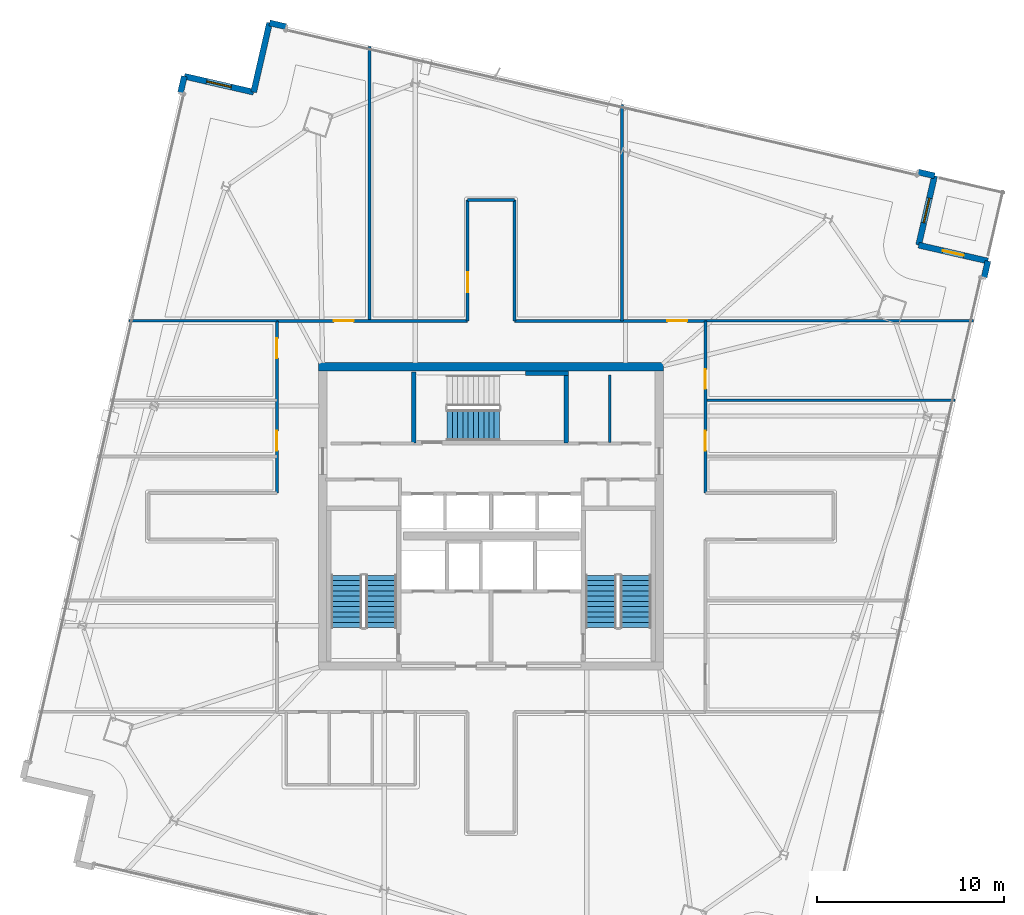
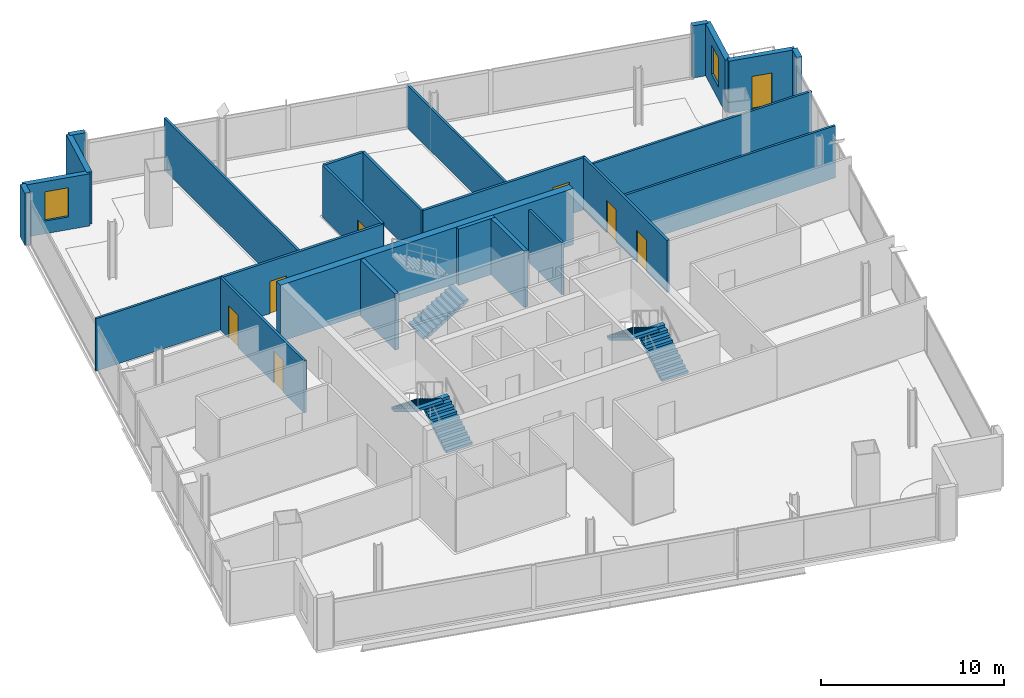
# One storey, part 22 of 28: 25 walls, 8 doors, 5 stair flights, 2 windows, 10 openings, 3 elements without a shape of their own.
"""IFC4 building model written with IfcOpenShell, lengths in metres."""

from ifc_helpers import new_model, si_unit, direction, frame, frame_2d, origin, place, context, subcontext, project, spatial, polyline, rectangle, outline, extrude, material, layer, layer_set, type_object, element, fill, aggregate, save


model = new_model("IFC4")

# Units and contexts
model_context = context("Model", 3, precision=1e-05, world=origin(), true_north=direction((0.0, 1.0)))
body_context = subcontext(model_context, "Body", "Model", "MODEL_VIEW")
ifc_project = project(units=[si_unit("LENGTHUNIT", "METRE"), si_unit("AREAUNIT", "SQUARE_METRE"), si_unit("VOLUMEUNIT", "CUBIC_METRE"), si_unit("PLANEANGLEUNIT", "RADIAN"), si_unit("MASSUNIT", "GRAM", prefix="KILO")], contexts=[model_context])

# Site, building, storey
site_placement = place(None, origin())
site = spatial("IfcSite", under=ifc_project, at=site_placement, CompositionType="ELEMENT")
building_placement = place(site_placement, origin())
building = spatial("IfcBuilding", under=site, at=building_placement, Name="Haldenkirk Collegiate Tower", CompositionType="ELEMENT")
storey_placement = place(building_placement, frame((0.0, 0.0, 286.199951171875)))
storey = spatial("IfcBuildingStorey", under=building, at=storey_placement, Name="L72", CompositionType="ELEMENT", Elevation=286.199951171875)

# Walls
ifc_material_1 = material(Name="Concrete f'c 55 MPa", Category="concrete")
ifc_layer_1 = layer(ifc_material_1, 0.449951171875)
ifc_layer_set_1 = layer_set([ifc_layer_1], Name="Concrete f'c 55 MPa")
wall_type_1 = type_object("IfcWallType", Name="WL-CORE-450", PredefinedType="SHEAR", material=ifc_layer_set_1)
wall_1_placement = place(storey_placement, frame((26.77490234375, 34.0, 0.0), z_axis=(0.0, 0.0, 1.0), x_axis=(1.0, 0.0, 0.0)))
element("IfcWall", 1, at=wall_1_placement, inside=storey, type_object=wall_type_1, Name="L72 central core shear wall N", PredefinedType="SHEAR", context=body_context, shape_type="SweptSolid", body=[
    extrude(rectangle(XDim=18.4501953125, YDim=0.449951171875, at=frame_2d((9.22509765625, 0.0))), origin(), (0.0, 0.0, 1.0), 3.75),
])
ifc_material_2 = material(Name="Precast concrete f'c 40 MPa", Category="concrete")
ifc_layer_2 = layer(ifc_material_2, 0.320068359375)
ifc_layer_set_2 = layer_set([ifc_layer_2], Name="Precast concrete f'c 40 MPa")
wall_type_2 = type_object("IfcWallType", Name="WL-EXT-TWR-320", PredefinedType="STANDARD", material=ifc_layer_set_2)
wall_2_placement = place(storey_placement, frame((62.558349609375, 39.645263671875, 0.0), z_axis=(0.0, 0.0, 1.0), x_axis=(-0.224106463304, -0.974564668509, 0.0)))
element("IfcWall", 2, at=wall_2_placement, inside=storey, type_object=wall_type_2, Name="L72 precast corner pier SL", PredefinedType="STANDARD", context=body_context, shape_type="SweptSolid", body=[
    extrude(rectangle(XDim=0.89990234375, YDim=0.320068359375, at=frame_2d((0.449951171875, 0.0))), origin(), (0.0, 0.0, 1.0), 3.47998046875),
])

# Wall, opening, door
wall_3_placement = place(storey_placement, frame((58.85498046875, 40.496826171875, 0.0), z_axis=(0.0, 0.0, 1.0), x_axis=(0.974567395147, -0.224094605727, 0.0)))
wall_3 = element("IfcWall", 3, at=wall_3_placement, inside=storey, type_object=wall_type_2, Name="L72 bronze precast notch wall 02", PredefinedType="STANDARD", context=body_context, shape_type="SweptSolid", body=[
    extrude(rectangle(XDim=3.800048828125, YDim=0.320068359375, at=frame_2d((1.89990234375, 0.0))), origin(), (0.0, 0.0, 1.0), 3.47998046875),
])
opening_1_placement = place(wall_3_placement, frame((1.324951171875, 0.0, 0.0)))
opening_1 = element("IfcOpeningElement", 4, at=opening_1_placement, cuts=wall_3, Name="Opening D-ST11", PredefinedType="OPENING", context=body_context, shape_type="SweptSolid", body=[
    extrude(rectangle(XDim=1.14990234375, YDim=2.199951171875, at=frame_2d((0.574951171875, 1.10009765625))), frame((0.0, 0.169921875, 0.0), z_axis=(0.0, -1.0, 0.0), x_axis=(1.0, 0.0, 0.0)), (0.0, 0.0, 1.0), 0.340087890625),
])
ifc_material_3 = material(Name="Anodised architectural bronze aluminium", Category="aluminium")
ifc_layer_3 = layer(ifc_material_3, 0.080078125)
ifc_layer_set_3 = layer_set([ifc_layer_3], Name="Anodised architectural bronze aluminium")
door_type_1 = type_object("IfcDoorType", Name="DR-EXT-STER-1150", OperationType="NOTDEFINED", PredefinedType="DOOR", material=ifc_layer_set_3)
door_1_placement = place(opening_1_placement, origin())
door_1 = element("IfcDoor", 5, at=door_1_placement, inside=storey, type_object=door_type_1, Name="L72 spiralling terrace door", OperationType="SINGLE_SWING_LEFT", OverallHeight=2.199951171875, OverallWidth=1.14990234375, PredefinedType="DOOR", context=body_context, shape_type="SweptSolid", body=[
    extrude(rectangle(XDim=1.14990234375, YDim=2.199951171875, at=frame_2d((0.574951171875, 1.10009765625))), frame((0.0, 0.02490234375, 0.0), z_axis=(0.0, -1.0, 0.0), x_axis=(1.0, 0.0, 0.0)), (0.0, 0.0, 1.0), 0.050048828125),
])
fill(opening_1, door_1)

# Wall, opening, window
wall_4_placement = place(storey_placement, frame((59.70654296875, 44.2001953125, 0.0), z_axis=(0.0, 0.0, 1.0), x_axis=(-0.224094605727, -0.974567395147, 0.0)))
wall_4 = element("IfcWall", 6, at=wall_4_placement, inside=storey, type_object=wall_type_2, Name="L72 bronze precast notch wall 03", PredefinedType="STANDARD", context=body_context, shape_type="SweptSolid", body=[
    extrude(rectangle(XDim=3.800048828125, YDim=0.320068359375, at=frame_2d((1.89990234375, 0.0))), origin(), (0.0, 0.0, 1.0), 3.47998046875),
])
opening_2_placement = place(wall_4_placement, frame((1.22509765625, 0.0, 0.85009765625)))
opening_2 = element("IfcOpeningElement", 7, at=opening_2_placement, cuts=wall_4, Name="Opening W-07", PredefinedType="OPENING", context=body_context, shape_type="SweptSolid", body=[
    extrude(rectangle(XDim=1.35009765625, YDim=1.949951171875, at=frame_2d((0.675048828125, 0.97509765625))), frame((0.0, 0.169921875, 0.0), z_axis=(0.0, -1.0, 0.0), x_axis=(1.0, 0.0, 0.0)), (0.0, 0.0, 1.0), 0.340087890625),
])
ifc_material_4 = material(Name="Low-E argon triple insulating glass", Category="glass")
ifc_layer_4 = layer(ifc_material_4, 0.090087890625)
ifc_layer_set_4 = layer_set([ifc_layer_4], Name="Low-E argon triple insulating glass")
window_type = type_object("IfcWindowType", Name="WN-Z5-1350X1950", PartitioningType="SINGLE_PANEL", PredefinedType="WINDOW", material=ifc_layer_set_4)
window_1_placement = place(opening_2_placement, origin())
window_1 = element("IfcWindow", 8, at=window_1_placement, inside=storey, type_object=window_type, Name="L72 precast-frame academic window 2", OverallHeight=1.949951171875, OverallWidth=1.35009765625, PartitioningType="SINGLE_PANEL", PredefinedType="WINDOW", context=body_context, shape_type="SweptSolid", body=[
    extrude(rectangle(XDim=1.35009765625, YDim=1.949951171875, at=frame_2d((0.675048828125, 0.97509765625))), frame((0.0, 0.030029296875, 0.0), z_axis=(0.0, -1.0, 0.0), x_axis=(1.0, 0.0, 0.0)), (0.0, 0.0, 1.0), 0.06005859375),
])
fill(opening_2, window_1)

# Walls
wall_5_placement = place(storey_placement, frame((24.1591796875, 52.374267578125, 0.0), z_axis=(0.0, 0.0, 1.0), x_axis=(0.974578289568, -0.224047221593, 0.0)))
element("IfcWall", 9, at=wall_5_placement, inside=storey, type_object=wall_type_2, Name="L72 precast corner pier EL", PredefinedType="STANDARD", context=body_context, shape_type="SweptSolid", body=[
    extrude(rectangle(XDim=0.900146484375, YDim=0.320068359375, at=frame_2d((0.4501953125, 0.0))), origin(), (0.0, 0.0, 1.0), 3.47998046875),
])
wall_6_placement = place(storey_placement, frame((58.82958984375, 44.40185546875, 0.0), z_axis=(0.0, 0.0, 1.0), x_axis=(0.974564668509, -0.224106463304, 0.0)))
element("IfcWall", 10, at=wall_6_placement, inside=storey, type_object=wall_type_2, Name="L72 precast corner pier ER", PredefinedType="STANDARD", context=body_context, shape_type="SweptSolid", body=[
    extrude(rectangle(XDim=0.89990234375, YDim=0.320068359375, at=frame_2d((0.449951171875, 0.0))), origin(), (0.0, 0.0, 1.0), 3.47998046875),
])
wall_7_placement = place(storey_placement, frame((23.307861328125, 48.6708984375, 0.0), z_axis=(0.0, 0.0, 1.0), x_axis=(0.224033583499, 0.974581424748, 0.0)))
element("IfcWall", 11, at=wall_7_placement, inside=storey, type_object=wall_type_2, Name="L72 bronze precast notch wall 05", PredefinedType="STANDARD", context=body_context, shape_type="SweptSolid", body=[
    extrude(rectangle(XDim=3.800048828125, YDim=0.320068359375, at=frame_2d((1.89990234375, 0.0))), origin(), (0.0, 0.0, 1.0), 3.47998046875),
])

# Wall, opening, window
wall_8_placement = place(storey_placement, frame((19.6044921875, 49.5224609375, 0.0), z_axis=(0.0, 0.0, 1.0), x_axis=(0.974567395147, -0.224094605727, 0.0)))
wall_8 = element("IfcWall", 12, at=wall_8_placement, inside=storey, type_object=wall_type_2, Name="L72 bronze precast notch wall 06", PredefinedType="STANDARD", context=body_context, shape_type="SweptSolid", body=[
    extrude(rectangle(XDim=3.800048828125, YDim=0.320068359375, at=frame_2d((1.89990234375, 0.0))), origin(), (0.0, 0.0, 1.0), 3.47998046875),
])
opening_3_placement = place(wall_8_placement, frame((1.22509765625, 0.0, 0.85009765625)))
opening_3 = element("IfcOpeningElement", 13, at=opening_3_placement, cuts=wall_8, Name="Opening W-07", PredefinedType="OPENING", context=body_context, shape_type="SweptSolid", body=[
    extrude(rectangle(XDim=1.35009765625, YDim=1.949951171875, at=frame_2d((0.675048828125, 0.97509765625))), frame((0.0, 0.169921875, 0.0), z_axis=(0.0, -1.0, 0.0), x_axis=(1.0, 0.0, 0.0)), (0.0, 0.0, 1.0), 0.340087890625),
])
window_2_placement = place(opening_3_placement, origin())
window_2 = element("IfcWindow", 14, at=window_2_placement, inside=storey, type_object=window_type, Name="L72 precast-frame academic window 5", OverallHeight=1.949951171875, OverallWidth=1.35009765625, PartitioningType="SINGLE_PANEL", PredefinedType="WINDOW", context=body_context, shape_type="SweptSolid", body=[
    extrude(rectangle(XDim=1.35009765625, YDim=1.949951171875, at=frame_2d((0.675048828125, 0.97509765625))), frame((0.0, 0.030029296875, 0.0), z_axis=(0.0, -1.0, 0.0), x_axis=(1.0, 0.0, 0.0)), (0.0, 0.0, 1.0), 0.06005859375),
])
fill(opening_3, window_2)

# Wall
wall_9_placement = place(storey_placement, frame((19.402587890625, 48.6455078125, 0.0), z_axis=(0.0, 0.0, 1.0), x_axis=(0.224364128664, 0.974505381088, 0.0)))
element("IfcWall", 15, at=wall_9_placement, inside=storey, type_object=wall_type_2, Name="L72 precast corner pier NR", PredefinedType="STANDARD", context=body_context, shape_type="SweptSolid", body=[
    extrude(rectangle(XDim=0.89990234375, YDim=0.320068359375, at=frame_2d((0.449951171875, 0.0))), origin(), (0.0, 0.0, 1.0), 3.47998046875),
])

# Wall, opening, door
ifc_material_5 = material(Name="Acoustic fire-rated gypsum partition", Category="concrete")
ifc_layer_5 = layer(ifc_material_5, 0.159912109375)
ifc_layer_set_5 = layer_set([ifc_layer_5], Name="Acoustic fire-rated gypsum partition")
wall_type_3 = type_object("IfcWallType", Name="WL-INT-CORR-160", PredefinedType="PARTITIONING", material=ifc_layer_set_5)
wall_10_placement = place(storey_placement, frame((24.5, 36.449951171875, 0.0), z_axis=(0.0, 0.0, 1.0), x_axis=(1.0, 0.0, 0.0)))
wall_10 = element("IfcWall", 16, at=wall_10_placement, inside=storey, type_object=wall_type_3, Name="L72 interior partition IW-L72-CN1", PredefinedType="PARTITIONING", context=body_context, shape_type="SweptSolid", body=[
    extrude(rectangle(XDim=10.25, YDim=0.159912109375, at=frame_2d((5.125, 0.0))), origin(), (0.0, 0.0, 1.0), 3.47998046875),
])
opening_4_placement = place(wall_10_placement, frame((3.10107421875, 0.0, 0.0)))
opening_4 = element("IfcOpeningElement", 17, at=opening_4_placement, cuts=wall_10, Name="Opening D-09", PredefinedType="OPENING", context=body_context, shape_type="SweptSolid", body=[
    extrude(rectangle(XDim=1.050048828125, YDim=2.14990234375, at=frame_2d((0.52490234375, 1.074951171875))), frame((0.0, 0.08984375, 0.0), z_axis=(0.0, -1.0, 0.0), x_axis=(1.0, 0.0, 0.0)), (0.0, 0.0, 1.0), 0.179931640625),
])
ifc_material_6 = material(Name="Solid-core architectural oak fire door", Category="wood")
ifc_layer_6 = layer(ifc_material_6, 0.06005859375)
ifc_layer_set_6 = layer_set([ifc_layer_6], Name="Solid-core architectural oak fire door")
door_type_2 = type_object("IfcDoorType", Name="DR-INT-FD60-1050", OperationType="NOTDEFINED", PredefinedType="DOOR", material=ifc_layer_set_6)
door_2_placement = place(opening_4_placement, origin())
door_2 = element("IfcDoor", 18, at=door_2_placement, inside=storey, type_object=door_type_2, Name="L72 Catering Tea Kitchen 2 door", OperationType="SINGLE_SWING_LEFT", OverallHeight=2.14990234375, OverallWidth=1.050048828125, PredefinedType="DOOR", context=body_context, shape_type="SweptSolid", body=[
    extrude(rectangle(XDim=1.050048828125, YDim=2.14990234375, at=frame_2d((0.52490234375, 1.074951171875))), frame((0.0, 0.02490234375, 0.0), z_axis=(0.0, -1.0, 0.0), x_axis=(1.0, 0.0, 0.0)), (0.0, 0.0, 1.0), 0.050048828125),
])
fill(opening_4, door_2)

wall_11_placement = place(storey_placement, frame((37.25, 36.449951171875, 0.0), z_axis=(0.0, 0.0, 1.0), x_axis=(1.0, 0.0, 0.0)))
wall_11 = element("IfcWall", 19, at=wall_11_placement, inside=storey, type_object=wall_type_3, Name="L72 interior partition IW-L72-CN2", PredefinedType="PARTITIONING", context=body_context, shape_type="SweptSolid", body=[
    extrude(rectangle(XDim=10.25, YDim=0.159912109375, at=frame_2d((5.125, 0.0))), origin(), (0.0, 0.0, 1.0), 3.47998046875),
])
opening_5_placement = place(wall_11_placement, frame((8.178955078125, 0.0, 0.0)))
opening_5 = element("IfcOpeningElement", 20, at=opening_5_placement, cuts=wall_11, Name="Opening D-09", PredefinedType="OPENING", context=body_context, shape_type="SweptSolid", body=[
    extrude(rectangle(XDim=1.050048828125, YDim=2.14990234375, at=frame_2d((0.52490234375, 1.074951171875))), frame((0.0, 0.08984375, 0.0), z_axis=(0.0, -1.0, 0.0), x_axis=(1.0, 0.0, 0.0)), (0.0, 0.0, 1.0), 0.179931640625),
])
door_3_placement = place(opening_5_placement, origin())
door_3 = element("IfcDoor", 21, at=door_3_placement, inside=storey, type_object=door_type_2, Name="L72 Academic Tea Kitchen 4 door", OperationType="SINGLE_SWING_LEFT", OverallHeight=2.14990234375, OverallWidth=1.050048828125, PredefinedType="DOOR", context=body_context, shape_type="SweptSolid", body=[
    extrude(rectangle(XDim=1.050048828125, YDim=2.14990234375, at=frame_2d((0.52490234375, 1.074951171875))), frame((0.0, 0.02490234375, 0.0), z_axis=(0.0, -1.0, 0.0), x_axis=(1.0, 0.0, 0.0)), (0.0, 0.0, 1.0), 0.050048828125),
])
fill(opening_5, door_3)

# Wall, openings, doors
wall_12_placement = place(storey_placement, frame((24.550048828125, 27.25, 0.0), z_axis=(0.0, 0.0, 1.0), x_axis=(0.0, 1.0, 0.0)))
wall_12 = element("IfcWall", 22, at=wall_12_placement, inside=storey, type_object=wall_type_3, Name="L72 interior partition IW-L72-CW2", PredefinedType="PARTITIONING", context=body_context, shape_type="SweptSolid", body=[
    extrude(rectangle(XDim=9.199951171875, YDim=0.159912109375, at=frame_2d((4.60009765625, 0.0))), origin(), (0.0, 0.0, 1.0), 3.47998046875),
])
opening_6_placement = place(wall_12_placement, frame((2.264892578125, 0.0, 0.0)))
opening_6 = element("IfcOpeningElement", 23, at=opening_6_placement, cuts=wall_12, Name="Opening D-09", PredefinedType="OPENING", context=body_context, shape_type="SweptSolid", body=[
    extrude(rectangle(XDim=1.050048828125, YDim=2.14990234375, at=frame_2d((0.52490234375, 1.074951171875))), frame((0.0, 0.08984375, 0.0), z_axis=(0.0, -1.0, 0.0), x_axis=(1.0, 0.0, 0.0)), (0.0, 0.0, 1.0), 0.179931640625),
])
opening_7_placement = place(wall_12_placement, frame((7.208984375, 0.0, 0.0)))
opening_7 = element("IfcOpeningElement", 24, at=opening_7_placement, cuts=wall_12, Name="Opening D-09", PredefinedType="OPENING", context=body_context, shape_type="SweptSolid", body=[
    extrude(rectangle(XDim=1.050048828125, YDim=2.14990234375, at=frame_2d((0.52490234375, 1.074951171875))), frame((0.0, 0.08984375, 0.0), z_axis=(0.0, -1.0, 0.0), x_axis=(1.0, 0.0, 0.0)), (0.0, 0.0, 1.0), 0.179931640625),
])
door_4_placement = place(opening_6_placement, origin())
door_4 = element("IfcDoor", 25, at=door_4_placement, inside=storey, type_object=door_type_2, Name="L72 Hospitality Tea Kitchen 7 door", OperationType="SINGLE_SWING_RIGHT", OverallHeight=2.14990234375, OverallWidth=1.050048828125, PredefinedType="DOOR", context=body_context, shape_type="SweptSolid", body=[
    extrude(rectangle(XDim=1.050048828125, YDim=2.14990234375, at=frame_2d((0.52490234375, 1.074951171875))), frame((0.0, 0.02490234375, 0.0), z_axis=(0.0, -1.0, 0.0), x_axis=(1.0, 0.0, 0.0)), (0.0, 0.0, 1.0), 0.050048828125),
])
fill(opening_6, door_4)
door_5_placement = place(opening_7_placement, origin())
door_5 = element("IfcDoor", 26, at=door_5_placement, inside=storey, type_object=door_type_2, Name="L72 Catering Tea Kitchen 8 door", OperationType="SINGLE_SWING_LEFT", OverallHeight=2.14990234375, OverallWidth=1.050048828125, PredefinedType="DOOR", context=body_context, shape_type="SweptSolid", body=[
    extrude(rectangle(XDim=1.050048828125, YDim=2.14990234375, at=frame_2d((0.52490234375, 1.074951171875))), frame((0.0, 0.02490234375, 0.0), z_axis=(0.0, -1.0, 0.0), x_axis=(1.0, 0.0, 0.0)), (0.0, 0.0, 1.0), 0.050048828125),
])
fill(opening_7, door_5)

wall_13_placement = place(storey_placement, frame((47.449951171875, 27.25, 0.0), z_axis=(0.0, 0.0, 1.0), x_axis=(0.0, 1.0, 0.0)))
wall_13 = element("IfcWall", 27, at=wall_13_placement, inside=storey, type_object=wall_type_3, Name="L72 interior partition IW-L72-CE2", PredefinedType="PARTITIONING", context=body_context, shape_type="SweptSolid", body=[
    extrude(rectangle(XDim=9.199951171875, YDim=0.159912109375, at=frame_2d((4.60009765625, 0.0))), origin(), (0.0, 0.0, 1.0), 3.47998046875),
])
opening_8_placement = place(wall_13_placement, frame((2.264892578125, 0.0, 0.0)))
opening_8 = element("IfcOpeningElement", 28, at=opening_8_placement, cuts=wall_13, Name="Opening D-09", PredefinedType="OPENING", context=body_context, shape_type="SweptSolid", body=[
    extrude(rectangle(XDim=1.050048828125, YDim=2.14990234375, at=frame_2d((0.52490234375, 1.074951171875))), frame((0.0, 0.08984375, 0.0), z_axis=(0.0, -1.0, 0.0), x_axis=(1.0, 0.0, 0.0)), (0.0, 0.0, 1.0), 0.179931640625),
])
opening_9_placement = place(wall_13_placement, frame((5.55908203125, 0.0, 0.0)))
opening_9 = element("IfcOpeningElement", 29, at=opening_9_placement, cuts=wall_13, Name="Opening D-09", PredefinedType="OPENING", context=body_context, shape_type="SweptSolid", body=[
    extrude(rectangle(XDim=1.050048828125, YDim=2.14990234375, at=frame_2d((0.52490234375, 1.074951171875))), frame((0.0, 0.08984375, 0.0), z_axis=(0.0, -1.0, 0.0), x_axis=(1.0, 0.0, 0.0)), (0.0, 0.0, 1.0), 0.179931640625),
])
door_6_placement = place(opening_8_placement, origin())
door_6 = element("IfcDoor", 30, at=door_6_placement, inside=storey, type_object=door_type_2, Name="L72 Wet Science Laboratory 11 door", OperationType="SINGLE_SWING_RIGHT", OverallHeight=2.14990234375, OverallWidth=1.050048828125, PredefinedType="DOOR", context=body_context, shape_type="SweptSolid", body=[
    extrude(rectangle(XDim=1.050048828125, YDim=2.14990234375, at=frame_2d((0.52490234375, 1.074951171875))), frame((0.0, 0.02490234375, 0.0), z_axis=(0.0, -1.0, 0.0), x_axis=(1.0, 0.0, 0.0)), (0.0, 0.0, 1.0), 0.050048828125),
])
fill(opening_8, door_6)
door_7_placement = place(opening_9_placement, origin())
door_7 = element("IfcDoor", 31, at=door_7_placement, inside=storey, type_object=door_type_2, Name="L72 Model Shop Laboratory 12 door", OperationType="SINGLE_SWING_LEFT", OverallHeight=2.14990234375, OverallWidth=1.050048828125, PredefinedType="DOOR", context=body_context, shape_type="SweptSolid", body=[
    extrude(rectangle(XDim=1.050048828125, YDim=2.14990234375, at=frame_2d((0.52490234375, 1.074951171875))), frame((0.0, 0.02490234375, 0.0), z_axis=(0.0, -1.0, 0.0), x_axis=(1.0, 0.0, 0.0)), (0.0, 0.0, 1.0), 0.050048828125),
])
fill(opening_9, door_7)

# Wall, opening, door
wall_14_placement = place(storey_placement, frame((34.75, 36.449951171875, 0.0), z_axis=(0.0, 0.0, 1.0), x_axis=(0.0, 1.0, 0.0)))
wall_14 = element("IfcWall", 32, at=wall_14_placement, inside=storey, type_object=wall_type_3, Name="L72 interior partition IW-L72-NPW", PredefinedType="PARTITIONING", context=body_context, shape_type="SweptSolid", body=[
    extrude(rectangle(XDim=6.449951171875, YDim=0.159912109375, at=frame_2d((3.22509765625, 0.0))), origin(), (0.0, 0.0, 1.0), 3.47998046875),
])
opening_10_placement = place(wall_14_placement, frame((1.5390625, 0.0, 0.0)))
opening_10 = element("IfcOpeningElement", 33, at=opening_10_placement, cuts=wall_14, Name="Opening D-09", PredefinedType="OPENING", context=body_context, shape_type="SweptSolid", body=[
    extrude(rectangle(XDim=1.050048828125, YDim=2.14990234375, at=frame_2d((0.52490234375, 1.074951171875))), frame((0.0, 0.08984375, 0.0), z_axis=(0.0, -1.0, 0.0), x_axis=(1.0, 0.0, 0.0)), (0.0, 0.0, 1.0), 0.179931640625),
])
door_8_placement = place(opening_10_placement, origin())
door_8 = element("IfcDoor", 34, at=door_8_placement, inside=storey, type_object=door_type_2, Name="L72 Faculty Tea Kitchen 3 door", OperationType="SINGLE_SWING_RIGHT", OverallHeight=2.14990234375, OverallWidth=1.050048828125, PredefinedType="DOOR", context=body_context, shape_type="SweptSolid", body=[
    extrude(rectangle(XDim=1.050048828125, YDim=2.14990234375, at=frame_2d((0.52490234375, 1.074951171875))), frame((0.0, 0.02490234375, 0.0), z_axis=(0.0, -1.0, 0.0), x_axis=(1.0, 0.0, 0.0)), (0.0, 0.0, 1.0), 0.050048828125),
])
fill(opening_10, door_8)

# Walls
wall_15_placement = place(storey_placement, frame((37.25, 36.449951171875, 0.0), z_axis=(0.0, 0.0, 1.0), x_axis=(0.0, 1.0, 0.0)))
element("IfcWall", 35, at=wall_15_placement, inside=storey, type_object=wall_type_3, Name="L72 interior partition IW-L72-NPE", PredefinedType="PARTITIONING", context=body_context, shape_type="SweptSolid", body=[
    extrude(rectangle(XDim=6.449951171875, YDim=0.159912109375, at=frame_2d((3.22509765625, 0.0))), origin(), (0.0, 0.0, 1.0), 3.47998046875),
])
wall_16_placement = place(storey_placement, frame((34.75, 42.89990234375, 0.0), z_axis=(0.0, 0.0, 1.0), x_axis=(1.0, 0.0, 0.0)))
element("IfcWall", 36, at=wall_16_placement, inside=storey, type_object=wall_type_3, Name="L72 interior partition IW-L72-NPN", PredefinedType="PARTITIONING", context=body_context, shape_type="SweptSolid", body=[
    extrude(rectangle(XDim=2.5, YDim=0.159912109375, at=frame_2d((1.25, 0.0))), origin(), (0.0, 0.0, 1.0), 3.47998046875),
])
ifc_layer_7 = layer(ifc_material_5, 0.139892578125)
ifc_layer_set_7 = layer_set([ifc_layer_7], Name="Acoustic fire-rated gypsum partition")
wall_type_4 = type_object("IfcWallType", Name="WL-INT-DIV-140", PredefinedType="PARTITIONING", material=ifc_layer_set_7)
wall_17_placement = place(storey_placement, frame((42.35009765625, 29.949951171875, 0.0), z_axis=(0.0, 0.0, 1.0), x_axis=(0.0, 1.0, 0.0)))
element("IfcWall", 37, at=wall_17_placement, inside=storey, type_object=wall_type_4, Name="L72 interior partition IW-L72-PMDIV", PredefinedType="PARTITIONING", context=body_context, shape_type="SweptSolid", body=[
    extrude(rectangle(XDim=3.60009765625, YDim=0.139892578125, at=frame_2d((1.800048828125, 0.0))), origin(), (0.0, 0.0, 1.0), 3.47998046875),
])
wall_18_placement = place(storey_placement, frame((16.639404296875, 36.449951171875, 0.0), z_axis=(0.0, 0.0, 1.0), x_axis=(1.0, 0.0, 0.0)))
element("IfcWall", 38, at=wall_18_placement, inside=storey, type_object=wall_type_4, Name="L72 interior partition IW-L72-BWN", PredefinedType="PARTITIONING", context=body_context, shape_type="SweptSolid", body=[
    extrude(rectangle(XDim=7.91064453125, YDim=0.139892578125, at=frame_2d((3.955322265625, 0.0))), origin(), (0.0, 0.0, 1.0), 3.47998046875),
])
wall_19_placement = place(storey_placement, frame((47.449951171875, 36.449951171875, 0.0), z_axis=(0.0, 0.0, 1.0), x_axis=(1.0, 0.0, 0.0)))
element("IfcWall", 39, at=wall_19_placement, inside=storey, type_object=wall_type_4, Name="L72 interior partition IW-L72-BEN", PredefinedType="PARTITIONING", context=body_context, shape_type="SweptSolid", body=[
    extrude(rectangle(XDim=14.332763671875, YDim=0.139892578125, at=frame_2d((7.16650390625, 0.0))), origin(), (0.0, 0.0, 1.0), 2.858154296875),
])
wall_20_placement = place(storey_placement, frame((29.5, 36.449951171875, 0.0), z_axis=(0.0, 0.0, 1.0), x_axis=(0.0, 1.0, 0.0)))
element("IfcWall", 40, at=wall_20_placement, inside=storey, type_object=wall_type_4, Name="L72 interior partition IW-L72-RN1", PredefinedType="PARTITIONING", context=body_context, shape_type="SweptSolid", body=[
    extrude(rectangle(XDim=14.6552734375, YDim=0.139892578125, at=frame_2d((7.32763671875, 0.0))), origin(), (0.0, 0.0, 1.0), 3.47998046875),
])
wall_21_placement = place(storey_placement, frame((43.0, 36.449951171875, 0.0), z_axis=(0.0, 0.0, 1.0), x_axis=(0.0, 1.0, 0.0)))
element("IfcWall", 41, at=wall_21_placement, inside=storey, type_object=wall_type_4, Name="L72 interior partition IW-L72-RN2", PredefinedType="PARTITIONING", context=body_context, shape_type="SweptSolid", body=[
    extrude(rectangle(XDim=11.55078125, YDim=0.139892578125, at=frame_2d((5.775390625, 0.0))), origin(), (0.0, 0.0, 1.0), 2.858154296875),
])
wall_22_placement = place(storey_placement, frame((47.449951171875, 32.199951171875, 0.0), z_axis=(0.0, 0.0, 1.0), x_axis=(1.0, 0.0, 0.0)))
element("IfcWall", 42, at=wall_22_placement, inside=storey, type_object=wall_type_4, Name="L72 interior partition IW-L72-RE3", PredefinedType="PARTITIONING", context=body_context, shape_type="SweptSolid", body=[
    extrude(rectangle(XDim=13.35546875, YDim=0.139892578125, at=frame_2d((6.677734375, 0.0))), origin(), (0.0, 0.0, 1.0), 3.47998046875),
])
ifc_layer_8 = layer(ifc_material_1, 0.239990234375)
ifc_layer_set_8 = layer_set([ifc_layer_8], Name="Concrete f'c 55 MPa")
wall_type_5 = type_object("IfcWallType", Name="WL-SHAFT-240", PredefinedType="SHEAR", material=ifc_layer_set_8)
wall_23_placement = place(storey_placement, frame((31.8798828125, 29.929931640625, 0.0), z_axis=(0.0, 0.0, 1.0), x_axis=(0.0, 1.0, 0.0)))
element("IfcWall", 43, at=wall_23_placement, inside=storey, type_object=wall_type_5, Name="L72 stair shaft shear wall SW-L72-ST3W", PredefinedType="SHEAR", context=body_context, shape_type="SweptSolid", body=[
    extrude(rectangle(XDim=3.7900390625, YDim=0.239990234375, at=frame_2d((1.89501953125, 0.0))), origin(), (0.0, 0.0, 1.0), 3.75),
])
wall_24_placement = place(storey_placement, frame((40.02001953125, 29.929931640625, 0.0), z_axis=(0.0, 0.0, 1.0), x_axis=(0.0, 1.0, 0.0)))
element("IfcWall", 44, at=wall_24_placement, inside=storey, type_object=wall_type_5, Name="L72 stair shaft shear wall SW-L72-ST3E", PredefinedType="SHEAR", context=body_context, shape_type="SweptSolid", body=[
    extrude(rectangle(XDim=3.85009765625, YDim=0.239990234375, at=frame_2d((1.925048828125, 0.0))), origin(), (0.0, 0.0, 1.0), 3.75),
])
wall_25_placement = place(storey_placement, frame((37.85009765625, 33.659912109375, 0.0), z_axis=(0.0, 0.0, 1.0), x_axis=(1.0, 0.0, 0.0)))
element("IfcWall", 45, at=wall_25_placement, inside=storey, type_object=wall_type_5, Name="L72 stair shaft shear wall SW-L72-ST3N", PredefinedType="SHEAR", context=body_context, shape_type="SweptSolid", body=[
    extrude(rectangle(XDim=2.289794921875, YDim=0.239990234375, at=frame_2d((1.14501953125, 0.0))), origin(), (0.0, 0.0, 1.0), 3.75),
])

# Stair, stair flights
ifc_material_7 = material(Name="Concrete f'c 40 MPa", Category="concrete")
stair_type = type_object("IfcStairType", Name="STR-DOGLEG-1650", PredefinedType="HALF_TURN_STAIR", material=ifc_material_7)
stair_1_placement = place(storey_placement, origin())
stair_1 = element("IfcStair", 46, at=stair_1_placement, inside=storey, type_object=stair_type, Name="L72 Core Exit Stair ST-1", PredefinedType="HALF_TURN_STAIR")
stair_flight_type = type_object("IfcStairFlightType", Name="STF-FLIGHT-1650", PredefinedType="STRAIGHT", material=ifc_material_7)
stair_flight_1_placement = place(storey_placement, frame((30.125, 20.050048828125, 0.0), z_axis=(0.0, 0.0, 1.0), x_axis=(0.0, 1.0, 0.0)))
stair_flight_1 = element("IfcStairFlight", 47, at=stair_flight_1_placement, type_object=stair_flight_type, Name="ST-1 flight 1", NumberOfRisers=11, NumberOfTreads=10, PredefinedType="STRAIGHT", RiserHeight=0.170454545, TreadLength=0.28, context=body_context, shape_type="SweptSolid", body=[
    extrude(outline(polyline([(0.0, 0.0), (0.0, 0.17041015625), (0.280029296875, 0.17041015625), (0.280029296875, 0.3408203125), (0.56005859375, 0.3408203125), (0.56005859375, 0.511474609375), (0.840087890625, 0.511474609375), (0.840087890625, 0.681884765625), (1.1201171875, 0.681884765625), (1.1201171875, 0.852294921875), (1.39990234375, 0.852294921875), (1.39990234375, 1.022705078125), (1.679931640625, 1.022705078125), (1.679931640625, 1.193115234375), (1.9599609375, 1.193115234375), (1.9599609375, 1.363525390625), (2.239990234375, 1.363525390625), (2.239990234375, 1.5341796875), (2.52001953125, 1.5341796875), (2.52001953125, 1.70458984375), (2.800048828125, 1.70458984375), (2.800048828125, 1.875), (2.800048828125, 1.529052734375), (0.288330078125, 0.0), (0.0, 0.0)])), frame((0.0, 0.824951171875, 0.0), z_axis=(0.0, -1.0, 0.0), x_axis=(1.0, 0.0, 0.0)), (0.0, 0.0, 1.0), 1.64990234375),
])
stair_flight_2_placement = place(storey_placement, frame((28.27490234375, 22.85009765625, 1.875), z_axis=(0.0, 0.0, 1.0), x_axis=(0.0, -1.0, 0.0)))
stair_flight_2 = element("IfcStairFlight", 48, at=stair_flight_2_placement, type_object=stair_flight_type, Name="ST-1 flight 2", NumberOfRisers=11, NumberOfTreads=10, PredefinedType="STRAIGHT", RiserHeight=0.170454545, TreadLength=0.28, context=body_context, shape_type="SweptSolid", body=[
    extrude(outline(polyline([(0.0, 0.0), (0.0, 0.17041015625), (0.280029296875, 0.17041015625), (0.280029296875, 0.3408203125), (0.56005859375, 0.3408203125), (0.56005859375, 0.511474609375), (0.840087890625, 0.511474609375), (0.840087890625, 0.681884765625), (1.1201171875, 0.681884765625), (1.1201171875, 0.852294921875), (1.39990234375, 0.852294921875), (1.39990234375, 1.022705078125), (1.679931640625, 1.022705078125), (1.679931640625, 1.193115234375), (1.9599609375, 1.193115234375), (1.9599609375, 1.363525390625), (2.239990234375, 1.363525390625), (2.239990234375, 1.5341796875), (2.52001953125, 1.5341796875), (2.52001953125, 1.70458984375), (2.800048828125, 1.70458984375), (2.800048828125, 1.875), (2.800048828125, 1.529052734375), (0.288330078125, 0.0), (0.0, 0.0)])), frame((0.0, 0.824951171875, 0.0), z_axis=(0.0, -1.0, 0.0), x_axis=(1.0, 0.0, 0.0)), (0.0, 0.0, 1.0), 1.64990234375),
])
aggregate(stair_1, [stair_flight_1, stair_flight_2])

stair_2_placement = place(storey_placement, origin())
stair_2 = element("IfcStair", 49, at=stair_2_placement, inside=storey, type_object=stair_type, Name="L72 Core Exit Stair ST-2", PredefinedType="HALF_TURN_STAIR")
stair_flight_3_placement = place(storey_placement, frame((43.72509765625, 20.050048828125, 0.0), z_axis=(0.0, 0.0, 1.0), x_axis=(0.0, 1.0, 0.0)))
stair_flight_3 = element("IfcStairFlight", 50, at=stair_flight_3_placement, type_object=stair_flight_type, Name="ST-2 flight 1", NumberOfRisers=11, NumberOfTreads=10, PredefinedType="STRAIGHT", RiserHeight=0.170454545, TreadLength=0.28, context=body_context, shape_type="SweptSolid", body=[
    extrude(outline(polyline([(0.0, 0.0), (0.0, 0.17041015625), (0.280029296875, 0.17041015625), (0.280029296875, 0.3408203125), (0.56005859375, 0.3408203125), (0.56005859375, 0.511474609375), (0.840087890625, 0.511474609375), (0.840087890625, 0.681884765625), (1.1201171875, 0.681884765625), (1.1201171875, 0.852294921875), (1.39990234375, 0.852294921875), (1.39990234375, 1.022705078125), (1.679931640625, 1.022705078125), (1.679931640625, 1.193115234375), (1.9599609375, 1.193115234375), (1.9599609375, 1.363525390625), (2.239990234375, 1.363525390625), (2.239990234375, 1.5341796875), (2.52001953125, 1.5341796875), (2.52001953125, 1.70458984375), (2.800048828125, 1.70458984375), (2.800048828125, 1.875), (2.800048828125, 1.529052734375), (0.288330078125, 0.0), (0.0, 0.0)])), frame((0.0, 0.824951171875, 0.0), z_axis=(0.0, -1.0, 0.0), x_axis=(1.0, 0.0, 0.0)), (0.0, 0.0, 1.0), 1.64990234375),
])
stair_flight_4_placement = place(storey_placement, frame((41.875, 22.85009765625, 1.875), z_axis=(0.0, 0.0, 1.0), x_axis=(0.0, -1.0, 0.0)))
stair_flight_4 = element("IfcStairFlight", 51, at=stair_flight_4_placement, type_object=stair_flight_type, Name="ST-2 flight 2", NumberOfRisers=11, NumberOfTreads=10, PredefinedType="STRAIGHT", RiserHeight=0.170454545, TreadLength=0.28, context=body_context, shape_type="SweptSolid", body=[
    extrude(outline(polyline([(0.0, 0.0), (0.0, 0.17041015625), (0.280029296875, 0.17041015625), (0.280029296875, 0.3408203125), (0.56005859375, 0.3408203125), (0.56005859375, 0.511474609375), (0.840087890625, 0.511474609375), (0.840087890625, 0.681884765625), (1.1201171875, 0.681884765625), (1.1201171875, 0.852294921875), (1.39990234375, 0.852294921875), (1.39990234375, 1.022705078125), (1.679931640625, 1.022705078125), (1.679931640625, 1.193115234375), (1.9599609375, 1.193115234375), (1.9599609375, 1.363525390625), (2.239990234375, 1.363525390625), (2.239990234375, 1.5341796875), (2.52001953125, 1.5341796875), (2.52001953125, 1.70458984375), (2.800048828125, 1.70458984375), (2.800048828125, 1.875), (2.800048828125, 1.529052734375), (0.288330078125, 0.0), (0.0, 0.0)])), frame((0.0, 0.824951171875, 0.0), z_axis=(0.0, -1.0, 0.0), x_axis=(1.0, 0.0, 0.0)), (0.0, 0.0, 1.0), 1.64990234375),
])
aggregate(stair_2, [stair_flight_3, stair_flight_4])

# Stair, stair flight
stair_3_placement = place(storey_placement, origin())
stair_3 = element("IfcStair", 52, at=stair_3_placement, inside=storey, type_object=stair_type, Name="L72 Core Exit Stair ST-3", PredefinedType="HALF_TURN_STAIR")
stair_flight_5_placement = place(storey_placement, frame((33.64990234375, 30.875, 0.0), z_axis=(0.0, 0.0, 1.0), x_axis=(1.0, 0.0, 0.0)))
stair_flight_5 = element("IfcStairFlight", 53, at=stair_flight_5_placement, type_object=stair_flight_type, Name="ST-3 flight 1", NumberOfRisers=11, NumberOfTreads=10, PredefinedType="STRAIGHT", RiserHeight=0.170454545, TreadLength=0.28, context=body_context, shape_type="SweptSolid", body=[
    extrude(outline(polyline([(0.0, 0.0), (0.0, 0.17041015625), (0.280029296875, 0.17041015625), (0.280029296875, 0.3408203125), (0.56005859375, 0.3408203125), (0.56005859375, 0.511474609375), (0.840087890625, 0.511474609375), (0.840087890625, 0.681884765625), (1.1201171875, 0.681884765625), (1.1201171875, 0.852294921875), (1.39990234375, 0.852294921875), (1.39990234375, 1.022705078125), (1.679931640625, 1.022705078125), (1.679931640625, 1.193115234375), (1.9599609375, 1.193115234375), (1.9599609375, 1.363525390625), (2.239990234375, 1.363525390625), (2.239990234375, 1.5341796875), (2.52001953125, 1.5341796875), (2.52001953125, 1.70458984375), (2.800048828125, 1.70458984375), (2.800048828125, 1.875), (2.800048828125, 1.529052734375), (0.288330078125, 0.0), (0.0, 0.0)])), frame((0.0, 0.824951171875, 0.0), z_axis=(0.0, -1.0, 0.0), x_axis=(1.0, 0.0, 0.0)), (0.0, 0.0, 1.0), 1.64990234375),
])
aggregate(stair_3, [stair_flight_5])

save(model, "model.ifc")
